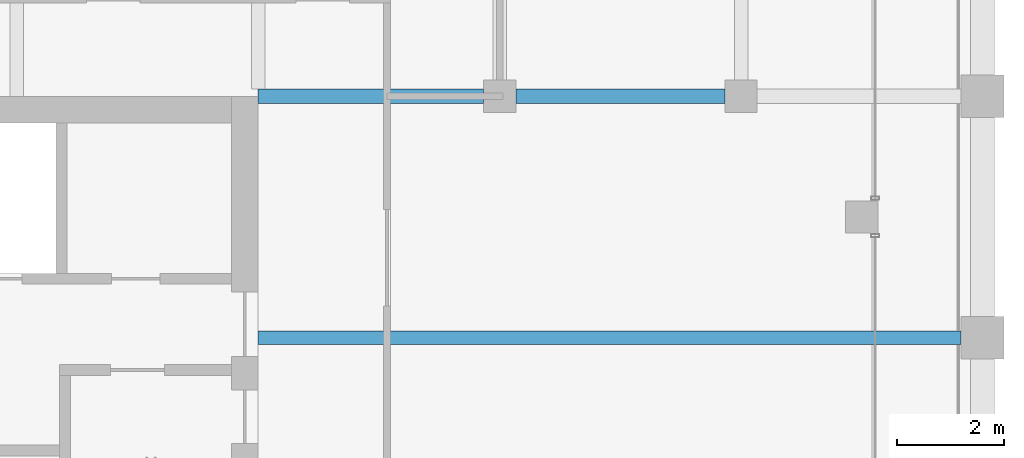
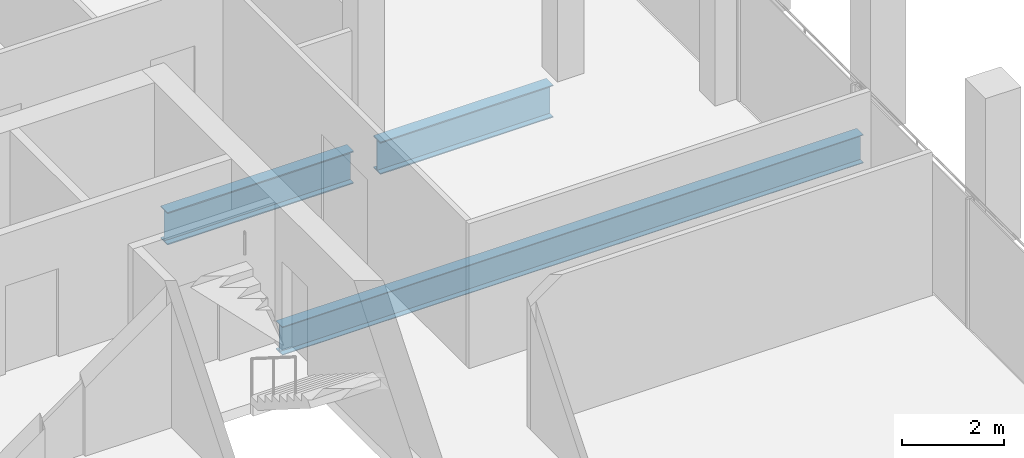
# One storey, part 18 of 30: 3 beams.
"""IFC4 building model written with IfcOpenShell, lengths in metres."""

from ifc_helpers import new_model, si_unit, direction, frame, origin, origin_2d, place, context, subcontext, project, spatial, i_section, extrude, material, material_profile, profile_set, type_object, element, save


model = new_model("IFC4")

# Units and contexts
model_context = context("Model", 3, precision=1e-05, world=origin(), true_north=direction((0.0, 1.0)))
body_context = subcontext(model_context, "Body", "Model", "MODEL_VIEW")
ifc_project = project(units=[si_unit("LENGTHUNIT", "METRE"), si_unit("AREAUNIT", "SQUARE_METRE"), si_unit("VOLUMEUNIT", "CUBIC_METRE"), si_unit("PLANEANGLEUNIT", "RADIAN"), si_unit("MASSUNIT", "GRAM", prefix="KILO")], contexts=[model_context])

# Site, building, storey
site_placement = place(None, origin())
site = spatial("IfcSite", under=ifc_project, at=site_placement, CompositionType="ELEMENT")
building_placement = place(site_placement, origin())
building = spatial("IfcBuilding", under=site, at=building_placement, Name="Altepetl Exchange Towers", CompositionType="ELEMENT")
storey_placement = place(building_placement, frame((0.0, 0.0, 220.800048828125)))
storey = spatial("IfcBuildingStorey", under=building, at=storey_placement, Name="L56", CompositionType="ELEMENT", Elevation=220.800048828125)

# Beams
ifc_material = material(Name="Steel S355", Category="steel")
ifc_material_profile_1 = material_profile(ifc_material, i_section(OverallWidth=0.2529296875, OverallDepth=0.677978515625, WebThickness=0.01171875, FlangeThickness=0.016357421875, at=origin_2d()), Name="W27X84")
ifc_profile_set_1 = profile_set([ifc_material_profile_1], Name="Steel S355")
beam_type_1 = type_object("IfcBeamType", Name="Floor beam W27X84", PredefinedType="BEAM", material=ifc_profile_set_1)
beam_1_placement = place(storey_placement, frame((58.5, 54.0, -0.489013671875), z_axis=(1.0, 0.0, 0.0), x_axis=(0.0, 1.0, 0.0)))
element("IfcBeam", 1, at=beam_1_placement, inside=storey, type_object=beam_type_1, Name="bm:A:L56:011", PredefinedType="BEAM", context=body_context, shape_type="SweptSolid", body=[
    extrude(i_section(OverallWidth=0.2529296875, OverallDepth=0.677978515625, WebThickness=0.01171875, FlangeThickness=0.016357421875, at=origin_2d()), origin(), (0.0, 0.0, 1.0), 13.10009765625),
])
ifc_material_profile_2 = material_profile(ifc_material, i_section(OverallWidth=0.26806640625, OverallDepth=0.77392578125, WebThickness=0.015380859375, FlangeThickness=0.025390625, at=origin_2d()), Name="W30X132")
ifc_profile_set_2 = profile_set([ifc_material_profile_2], Name="Steel S355")
beam_type_2 = type_object("IfcBeamType", Name="Girder W30X132", PredefinedType="BEAM", material=ifc_profile_set_2)
beam_2_placement = place(storey_placement, frame((58.5, 58.5, -0.537109375), z_axis=(1.0, 0.0, 0.0), x_axis=(0.0, 1.0, 0.0)))
element("IfcBeam", 2, at=beam_2_placement, inside=storey, type_object=beam_type_2, Name="gd:A:L56:000", PredefinedType="BEAM", context=body_context, shape_type="SweptSolid", body=[
    extrude(i_section(OverallWidth=0.26806640625, OverallDepth=0.77392578125, WebThickness=0.015380859375, FlangeThickness=0.025390625, at=origin_2d()), origin(), (0.0, 0.0, 1.0), 4.199951171875),
])
beam_3_placement = place(storey_placement, frame((63.300048828125, 58.5, -0.537109375), z_axis=(1.0, 0.0, 0.0), x_axis=(0.0, 1.0, 0.0)))
element("IfcBeam", 3, at=beam_3_placement, inside=storey, type_object=beam_type_2, Name="gd:A:L56:001", PredefinedType="BEAM", context=body_context, shape_type="SweptSolid", body=[
    extrude(i_section(OverallWidth=0.26806640625, OverallDepth=0.77392578125, WebThickness=0.015380859375, FlangeThickness=0.025390625, at=origin_2d()), origin(), (0.0, 0.0, 1.0), 3.89990234375),
])

save(model, "model.ifc")
